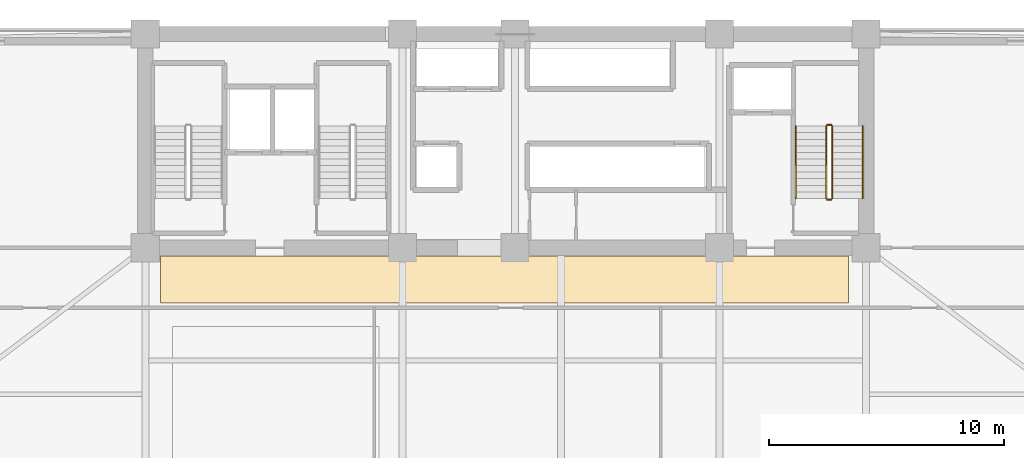
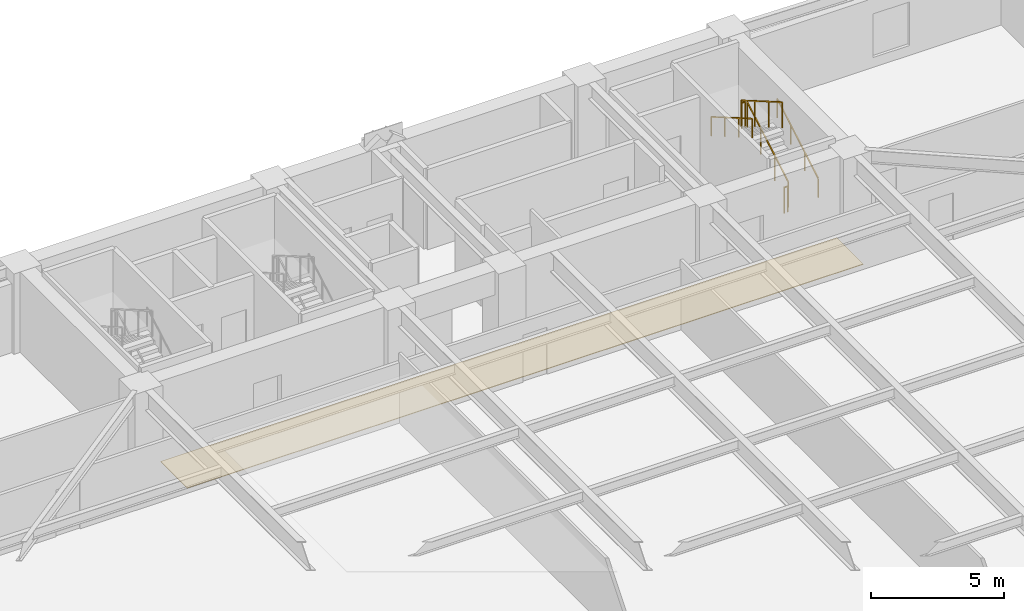
# One storey, part 16 of 17: 6 railings, 1 covering.
"""IFC4 building model written with IfcOpenShell, lengths in metres."""

from ifc_helpers import new_model, si_unit, direction, frame, origin, origin_2d, place, context, subcontext, project, spatial, polyline, rectangle, outline, extrude, material, layer, layer_set, type_object, element, save


model = new_model("IFC4")

# Units and contexts
model_context = context("Model", 3, precision=1e-05, world=origin(), true_north=direction((0.0, 1.0)))
body_context = subcontext(model_context, "Body", "Model", "MODEL_VIEW")
ifc_project = project(units=[si_unit("LENGTHUNIT", "METRE"), si_unit("AREAUNIT", "SQUARE_METRE"), si_unit("VOLUMEUNIT", "CUBIC_METRE"), si_unit("PLANEANGLEUNIT", "RADIAN"), si_unit("MASSUNIT", "GRAM", prefix="KILO")], contexts=[model_context])

# Site, building, storey
site_placement = place(None, origin())
site = spatial("IfcSite", under=ifc_project, at=site_placement, CompositionType="ELEMENT")
building_placement = place(site_placement, origin())
building = spatial("IfcBuilding", under=site, at=building_placement, Name="Giltprow Tower", CompositionType="ELEMENT")
storey_placement = place(building_placement, frame((0.0, 0.0, 33.199951171875)))
storey = spatial("IfcBuildingStorey", under=building, at=storey_placement, Name="L08", CompositionType="ELEMENT", Elevation=33.199951171875)

# Covering
ifc_material_1 = material(Name="Honed granite", Category="masonry")
ifc_layer = layer(ifc_material_1, 0.030029296875, Name="Honed granite")
ifc_layer_set = layer_set([ifc_layer], Name="Honed granite")
covering_type = type_object("IfcCoveringType", Name="COV-FLR-STONE", PredefinedType="FLOORING", material=ifc_layer_set)
covering_placement = place(storey_placement, origin())
element("IfcCovering", 1, at=covering_placement, inside=storey, type_object=covering_type, Name="L08 Office Corridor Stone Flooring", PredefinedType="FLOORING", context=body_context, shape_type="SweptSolid", body=[
    extrude(outline(polyline([(20.5, 35.10009765625), (49.800048828125, 35.10009765625), (49.800048828125, 37.10009765625), (20.5, 37.10009765625), (20.5, 35.10009765625)])), origin(), (0.0, 0.0, 1.0), 0.030029296875),
])

# Railings
ifc_material_2 = material(Name="Anodized bronze", Category="metal")
railing_type_1 = type_object("IfcRailingType", Name="RAIL-STAIR-GUARD-1200", PredefinedType="GUARDRAIL", material=ifc_material_2)
railing_1_placement = place(storey_placement, frame((49.110107421875, 39.550048828125, 0.16259765625)))
element("IfcRailing", 2, at=railing_1_placement, inside=storey, type_object=railing_type_1, Name="L08 ST-3 stair guard 1", PredefinedType="GUARDRAIL", context=body_context, shape_type="SweptSolid", body=[
    extrude(rectangle(XDim=0.048095703125, YDim=0.048095703125, at=origin_2d()), frame((0.0, 0.0, 1.17578125), z_axis=(0.0, 0.864903211148, 0.501938676878), x_axis=(-1.0, 0.0, 0.0)), (0.0, 0.0, 1.0), 3.560791015625),
    extrude(rectangle(XDim=0.0419921875, YDim=0.0419921875, at=origin_2d()), origin(), (0.0, 0.0, 1.0), 1.15185546875),
    extrude(rectangle(XDim=0.0419921875, YDim=0.0419921875, at=origin_2d()), frame((0.0, 1.026611328125, 0.595703125)), (0.0, 0.0, 1.0), 1.15185546875),
    extrude(rectangle(XDim=0.0419921875, YDim=0.0419921875, at=origin_2d()), frame((0.0, 2.05322265625, 1.191650390625)), (0.0, 0.0, 1.0), 1.15185546875),
    extrude(rectangle(XDim=0.0419921875, YDim=0.0419921875, at=origin_2d()), frame((0.0, 3.079833984375, 1.787353515625)), (0.0, 0.0, 1.0), 1.15185546875),
])
railing_2_placement = place(storey_placement, frame((49.06005859375, 42.679931640625, 1.949951171875)))
element("IfcRailing", 3, at=railing_2_placement, inside=storey, type_object=railing_type_1, Name="L08 ST-3 stair guard 2", PredefinedType="GUARDRAIL", context=body_context, shape_type="SweptSolid", body=[
    extrude(rectangle(XDim=0.048095703125, YDim=0.048095703125, at=origin_2d()), frame((0.0, 0.0, 1.17578125), z_axis=(-1.0, 0.0, 0.0), x_axis=(0.0, -1.0, 0.0)), (0.0, 0.0, 1.0), 0.16015625),
    extrude(rectangle(XDim=0.0419921875, YDim=0.0419921875, at=origin_2d()), origin(), (0.0, 0.0, 1.0), 1.15185546875),
    extrude(rectangle(XDim=0.0419921875, YDim=0.0419921875, at=origin_2d()), frame((-0.16015625, 0.0, 0.0)), (0.0, 0.0, 1.0), 1.15185546875),
])
railing_3_placement = place(storey_placement, frame((48.85009765625, 42.6298828125, 2.112548828125)))
element("IfcRailing", 4, at=railing_3_placement, inside=storey, type_object=railing_type_1, Name="L08 ST-3 stair guard 3", PredefinedType="GUARDRAIL", context=body_context, shape_type="SweptSolid", body=[
    extrude(rectangle(XDim=0.048095703125, YDim=0.048095703125, at=origin_2d()), frame((0.0, 0.0, 1.17578125), z_axis=(0.0, -0.864873446163, 0.501989962173), x_axis=(1.0, 0.0, 0.0)), (0.0, 0.0, 1.0), 3.56103515625),
    extrude(rectangle(XDim=0.0419921875, YDim=0.0419921875, at=origin_2d()), origin(), (0.0, 0.0, 1.0), 1.15185546875),
    extrude(rectangle(XDim=0.0419921875, YDim=0.0419921875, at=origin_2d()), frame((0.0, -1.026611328125, 0.595947265625)), (0.0, 0.0, 1.0), 1.15185546875),
    extrude(rectangle(XDim=0.0419921875, YDim=0.0419921875, at=origin_2d()), frame((0.0, -2.05322265625, 1.191650390625)), (0.0, 0.0, 1.0), 1.15185546875),
    extrude(rectangle(XDim=0.0419921875, YDim=0.0419921875, at=origin_2d()), frame((0.0, -3.079833984375, 1.78759765625)), (0.0, 0.0, 1.0), 1.15185546875),
])
railing_4_placement = place(storey_placement, frame((49.06005859375, 39.5, 0.0)))
element("IfcRailing", 5, at=railing_4_placement, inside=storey, type_object=railing_type_1, Name="L08 ST-3 stair guard 4", PredefinedType="GUARDRAIL", context=body_context, shape_type="SweptSolid", body=[
    extrude(rectangle(XDim=0.048095703125, YDim=0.048095703125, at=origin_2d()), frame((0.0, 0.0, 1.17578125), z_axis=(-1.0, 0.0, 0.0), x_axis=(0.0, -1.0, 0.0)), (0.0, 0.0, 1.0), 0.16015625),
    extrude(rectangle(XDim=0.0419921875, YDim=0.0419921875, at=origin_2d()), origin(), (0.0, 0.0, 1.0), 1.15185546875),
    extrude(rectangle(XDim=0.0419921875, YDim=0.0419921875, at=origin_2d()), frame((-0.16015625, 0.0, 0.0)), (0.0, 0.0, 1.0), 1.15185546875),
])
railing_type_2 = type_object("IfcRailingType", Name="RAIL-STAIR-HAND-900", PredefinedType="HANDRAIL", material=ifc_material_2)
railing_5_placement = place(storey_placement, frame((50.409912109375, 39.550048828125, 0.16259765625)))
element("IfcRailing", 6, at=railing_5_placement, inside=storey, type_object=railing_type_2, Name="L08 ST-3 stair handrail 1", PredefinedType="HANDRAIL", context=body_context, shape_type="SweptSolid", body=[
    extrude(rectangle(XDim=0.048095703125, YDim=0.048095703125, at=origin_2d()), frame((0.0, 0.0, 0.8759765625), z_axis=(0.0, 0.864903211148, 0.501938676878), x_axis=(-1.0, 0.0, 0.0)), (0.0, 0.0, 1.0), 3.560791015625),
    extrude(rectangle(XDim=0.0419921875, YDim=0.0419921875, at=origin_2d()), origin(), (0.0, 0.0, 1.0), 0.851806640625),
    extrude(rectangle(XDim=0.0419921875, YDim=0.0419921875, at=origin_2d()), frame((0.0, 1.026611328125, 0.595703125)), (0.0, 0.0, 1.0), 0.851806640625),
    extrude(rectangle(XDim=0.0419921875, YDim=0.0419921875, at=origin_2d()), frame((0.0, 2.05322265625, 1.191650390625)), (0.0, 0.0, 1.0), 0.851806640625),
    extrude(rectangle(XDim=0.0419921875, YDim=0.0419921875, at=origin_2d()), frame((0.0, 3.079833984375, 1.787353515625)), (0.0, 0.0, 1.0), 0.851806640625),
])
railing_6_placement = place(storey_placement, frame((47.550048828125, 42.6298828125, 2.112548828125)))
element("IfcRailing", 7, at=railing_6_placement, inside=storey, type_object=railing_type_2, Name="L08 ST-3 stair handrail 2", PredefinedType="HANDRAIL", context=body_context, shape_type="SweptSolid", body=[
    extrude(rectangle(XDim=0.048095703125, YDim=0.048095703125, at=origin_2d()), frame((0.0, 0.0, 0.8759765625), z_axis=(0.0, -0.864873446163, 0.501989962173), x_axis=(1.0, 0.0, 0.0)), (0.0, 0.0, 1.0), 3.56103515625),
    extrude(rectangle(XDim=0.0419921875, YDim=0.0419921875, at=origin_2d()), origin(), (0.0, 0.0, 1.0), 0.851806640625),
    extrude(rectangle(XDim=0.0419921875, YDim=0.0419921875, at=origin_2d()), frame((0.0, -1.026611328125, 0.595947265625)), (0.0, 0.0, 1.0), 0.851806640625),
    extrude(rectangle(XDim=0.0419921875, YDim=0.0419921875, at=origin_2d()), frame((0.0, -2.05322265625, 1.191650390625)), (0.0, 0.0, 1.0), 0.851806640625),
    extrude(rectangle(XDim=0.0419921875, YDim=0.0419921875, at=origin_2d()), frame((0.0, -3.079833984375, 1.78759765625)), (0.0, 0.0, 1.0), 0.851806640625),
])

save(model, "model.ifc")
